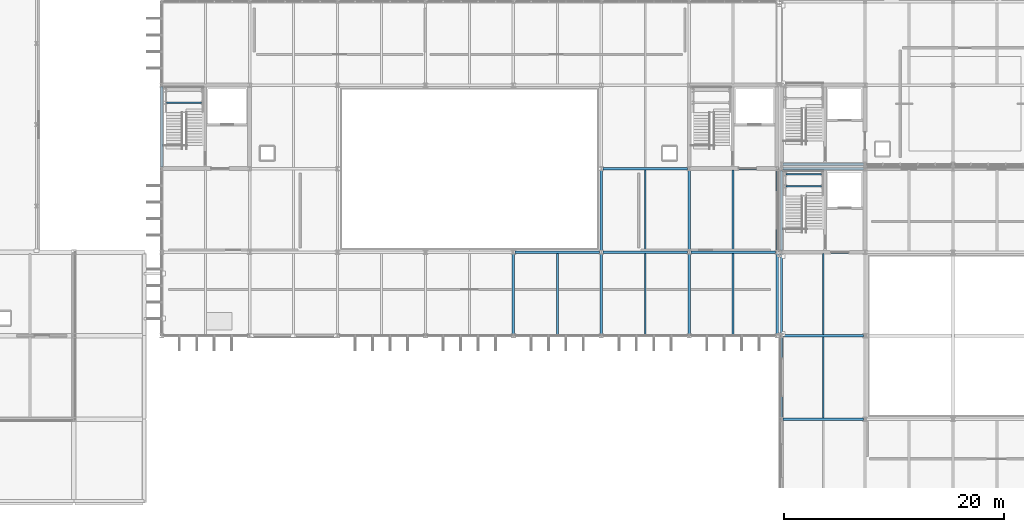
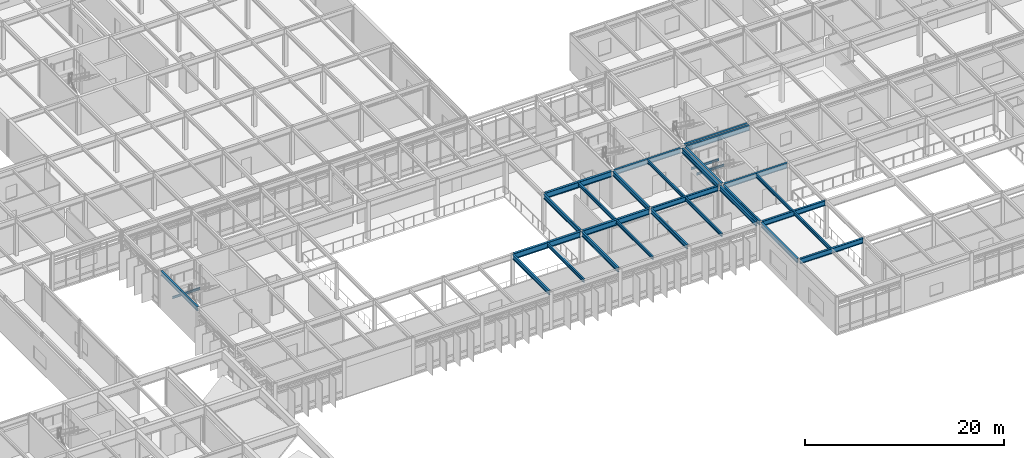
# One storey, part 44 of 104: 31 beams.
"""IFC4 building model written with IfcOpenShell, lengths in metres."""

import ifcopenshell
import ifcopenshell.guid

model = None  # the IFC model being written
_history = None  # IfcOwnerHistory: only IFC2X3 demands one
_inside = {}  # id of a spatial element -> (the spatial element, [elements in it])
_under = {}  # id of a project, library or spatial element -> (it, [spatial elements below it])
_declared = {}  # id of a project -> (the project, [libraries it declares])
_typed = {}  # id of a type object -> (the type object, [elements of that type])
_made_of = {}  # id of a material, layer set ... -> (it, [elements and type objects made of it])


def new_model(schema):
    """Start an empty IFC model of exactly this schema.

    Asked for "IFC4X3", IfcOpenShell would pick the latest addendum, in which some entities
    have other attributes; the version numbers below select the first issue.
    IFC2X3 requires an IfcOwnerHistory on every rooted entity: one is made here for all.
    """
    global model, _history
    if schema == "IFC4X3":
        model = ifcopenshell.file(schema_version=(4, 3, 0, 0))
    else:
        model = ifcopenshell.file(schema=schema)
    _inside.clear()
    _under.clear()
    _declared.clear()
    _typed.clear()
    _made_of.clear()
    _history = None
    if model.schema == "IFC2X3":
        org = make("IfcOrganization", Name="unknown")
        user = make(
            "IfcPersonAndOrganization",
            ThePerson=make("IfcPerson", FamilyName="unknown"),
            TheOrganization=org,
        )
        app = make(
            "IfcApplication",
            ApplicationDeveloper=org,
            Version="unknown",
            ApplicationFullName="unknown",
            ApplicationIdentifier="unknown",
        )
        _history = make(
            "IfcOwnerHistory",
            OwningUser=user,
            OwningApplication=app,
            ChangeAction="ADDED",
            CreationDate=0,
        )
    return model


def make(cls, **values):
    """One entity of the class cls with the attributes given. An attribute that is None is left unset."""
    return model.create_entity(
        cls, **{name: value for name, value in values.items() if value is not None}
    )


def rooted(cls, **values):
    """An entity with a GlobalId (a new one), such as an element, a storey or a relation."""
    return make(cls, GlobalId=ifcopenshell.guid.new(), OwnerHistory=_history, **values)


def si_unit(unit_type, name, prefix=None):
    """IfcSIUnit, for example si_unit("LENGTHUNIT", "METRE", prefix="MILLI")."""
    return make("IfcSIUnit", UnitType=unit_type, Prefix=prefix, Name=name)


def assignment(units):
    """IfcUnitAssignment: the units of a project."""
    return None if units is None else make("IfcUnitAssignment", Units=units)


def point(xyz):
    """IfcCartesianPoint."""
    return None if xyz is None else make("IfcCartesianPoint", Coordinates=xyz)


def direction(xyz):
    """IfcDirection."""
    return None if xyz is None else make("IfcDirection", DirectionRatios=xyz)


def frame(location, z_axis=None, x_axis=None):
    """IfcAxis2Placement3D, a coordinate frame: its origin and axes. An axis left out is left unset."""
    return make(
        "IfcAxis2Placement3D",
        Location=point(location),
        Axis=direction(z_axis),
        RefDirection=direction(x_axis),
    )


def frame_2d(location, x_axis=None):
    """IfcAxis2Placement2D, a coordinate frame in the plane: its origin and x axis."""
    return make(
        "IfcAxis2Placement2D", Location=point(location), RefDirection=direction(x_axis)
    )


def origin():
    """The frame at (0, 0, 0) with its axes left unset."""
    return frame((0.0, 0.0, 0.0))


def origin_2d():
    """The frame at (0, 0) in the plane with its x axis left unset."""
    return frame_2d((0.0, 0.0))


def place(relative_to, where):
    """IfcLocalPlacement: puts the frame where relative to a parent placement (None: the world)."""
    return make(
        "IfcLocalPlacement", PlacementRelTo=relative_to, RelativePlacement=where
    )


def context(
    kind, dimensions, precision=None, world=None, true_north=None, identifier=None
):
    """IfcGeometricRepresentationContext, for example the 3D "Model" context."""
    return make(
        "IfcGeometricRepresentationContext",
        ContextIdentifier=identifier,
        ContextType=kind,
        CoordinateSpaceDimension=dimensions,
        Precision=precision,
        WorldCoordinateSystem=world,
        TrueNorth=true_north,
    )


def subcontext(parent, identifier, kind, view, scale=None):
    """IfcGeometricRepresentationSubContext, for example "Body" below "Model"."""
    return make(
        "IfcGeometricRepresentationSubContext",
        ContextIdentifier=identifier,
        ContextType=kind,
        ParentContext=parent,
        TargetScale=scale,
        TargetView=view,
    )


def project(units=None, contexts=None):
    """IfcProject with its units and contexts."""
    return rooted(
        "IfcProject",
        Name="project",
        RepresentationContexts=contexts,
        UnitsInContext=assignment(units),
    )


def spatial(cls, under=None, at=None, **own):
    """A site, building, storey or space (cls), placed at a placement, below another one or the project."""
    s = rooted(cls, ObjectPlacement=at, **own)
    if under is not None:
        _under.setdefault(under.id(), (under, []))[1].append(s)
    return s


def profile(cls, at=None, kind="AREA", **sizes):
    """A parametric profile (cls). Its sizes go by their IFC names, for example OverallWidth=200.0."""
    return make(cls, ProfileType=kind, Position=at, **sizes)


def i_section(**sizes):
    """IfcIShapeProfileDef."""
    return profile("IfcIShapeProfileDef", **sizes)


def extrude(swept, where, along, depth):
    """IfcExtrudedAreaSolid: the profile swept, set in the frame where, extruded along a direction by depth."""
    return make(
        "IfcExtrudedAreaSolid",
        SweptArea=swept,
        Position=where,
        ExtrudedDirection=direction(along),
        Depth=depth,
    )


def shape(context_of_items, identifier, shape_type, items):
    """IfcShapeRepresentation: the items that make up one representation, for example the "Body"."""
    return make(
        "IfcShapeRepresentation",
        ContextOfItems=context_of_items,
        RepresentationIdentifier=identifier,
        RepresentationType=shape_type,
        Items=items,
    )


def material(Name=None, Category=None):
    """IfcMaterial."""
    return make("IfcMaterial", Name=Name, Category=Category)


def material_profile(
    of_material, cross_section, Name=None, Category=None, Priority=None
):
    """IfcMaterialProfile: a cross section and its material."""
    return make(
        "IfcMaterialProfile",
        Name=Name,
        Material=of_material,
        Profile=cross_section,
        Priority=Priority,
        Category=Category,
    )


def profile_set(profiles, Name=None, composite=None):
    """IfcMaterialProfileSet."""
    return make(
        "IfcMaterialProfileSet",
        Name=Name,
        MaterialProfiles=profiles,
        CompositeProfile=composite,
    )


def made_of(thing, what):
    """Note that an element or type object is made of a material, layer set ...; save() writes the relation."""
    if what is not None:
        _made_of.setdefault(what.id(), (what, []))[1].append(thing)
    return thing


def type_object(cls, material=None, **own):
    """A type object (cls), such as IfcWallType, which elements share."""
    return made_of(rooted(cls, **own), material)


def element(
    cls,
    number,
    at=None,
    inside=None,
    cuts=None,
    type_object=None,
    material=None,
    context=None,
    identifier="Body",
    shape_type=None,
    held_by="IfcProductDefinitionShape",
    body=None,
    shapes=None,
    **own,
):
    """One element of the class cls, such as IfcWall. Its Tag is "e" and its number.

    at: its placement. inside: the storey or other place that contains it. cuts: it is an
    opening in that element (IfcRelVoidsElement). A single representation is given by context,
    identifier, shape_type and body (its items); several are given by shapes. held_by: the class
    of the entity that holds the representations. save() writes the other relations.
    """
    e = rooted(cls, Tag="e%d" % number, ObjectPlacement=at, **own)
    if body is not None:
        shapes = [shape(context, identifier, shape_type, body)]
    if shapes is not None:
        e.Representation = make(held_by, Representations=shapes)
    if inside is not None:
        _inside.setdefault(inside.id(), (inside, []))[1].append(e)
    if cuts is not None:
        rooted(
            "IfcRelVoidsElement", RelatingBuildingElement=cuts, RelatedOpeningElement=e
        )
    if type_object is not None:
        _typed.setdefault(type_object.id(), (type_object, []))[1].append(e)
    return made_of(e, material)


def aggregate(whole, parts):
    """IfcRelAggregates: a whole, such as a stair, and the parts it consists of."""
    return rooted("IfcRelAggregates", RelatingObject=whole, RelatedObjects=parts)


def save(model, path):
    """Write the relations noted so far, then the file.

    IfcRelAggregates (storeys below a building ...), IfcRelContainedInSpatialStructure (elements
    in a storey), IfcRelDefinesByType, IfcRelAssociatesMaterial and IfcRelDeclares: one each for
    every whole, place, type object, material and project.
    """
    for whole, parts in _under.values():
        aggregate(whole, parts)
    for where, things in _inside.values():
        rooted(
            "IfcRelContainedInSpatialStructure",
            RelatedElements=things,
            RelatingStructure=where,
        )
    for kind, things in _typed.values():
        rooted("IfcRelDefinesByType", RelatedObjects=things, RelatingType=kind)
    for what, things in _made_of.values():
        rooted("IfcRelAssociatesMaterial", RelatedObjects=things, RelatingMaterial=what)
    for by, libraries in _declared.values():
        rooted("IfcRelDeclares", RelatingContext=by, RelatedDefinitions=libraries)
    model.write(path)


model = new_model("IFC4")

# Units and contexts
model_context = context("Model", 3, precision=1e-05, world=origin(), true_north=direction((0.0, 1.0)))
body_context = subcontext(model_context, "Body", "Model", "MODEL_VIEW")
ifc_project = project(units=[si_unit("LENGTHUNIT", "METRE"), si_unit("AREAUNIT", "SQUARE_METRE"), si_unit("VOLUMEUNIT", "CUBIC_METRE"), si_unit("PLANEANGLEUNIT", "RADIAN"), si_unit("MASSUNIT", "GRAM", prefix="KILO")], contexts=[model_context])

# Site, building, storey
site_placement = place(None, origin())
site = spatial("IfcSite", under=ifc_project, at=site_placement, CompositionType="ELEMENT")
building_placement = place(site_placement, origin())
building = spatial("IfcBuilding", under=site, at=building_placement, Name="Zulena Civic Courthouse", CompositionType="ELEMENT")
storey_placement = place(building_placement, frame((0.0, 0.0, 10.800048828125)))
storey = spatial("IfcBuildingStorey", under=building, at=storey_placement, Name="L02", CompositionType="ELEMENT", Elevation=10.800048828125)

# Beams
ifc_material = material(Name="Steel ASTM A992 Grade 50", Category="steel")
ifc_material_profile_1 = material_profile(ifc_material, i_section(OverallWidth=0.214111328125, OverallDepth=0.549072265625, WebThickness=0.0146484375, FlangeThickness=0.023681640625, FilletRadius=0.0126953125, at=origin_2d()), Name="W21X93")
ifc_profile_set_1 = profile_set([ifc_material_profile_1], Name="Steel ASTM A992 Grade 50")
beam_type_1 = type_object("IfcBeamType", Name="Girder_W21X93", PredefinedType="BEAM", material=ifc_profile_set_1)
for number, where, z_axis, x_axis, name in (
    (1, (108.0, 22.945068359375, 4.3154296875), (0.0, 1.0, 0.0), (-1.0, 0.0, 0.0), "beam:Y:V4:L02:108.0:22.8_30.4"),
    (2, (116.0, 22.945068359375, 4.3154296875), (0.0, 1.0, 0.0), (-1.0, 0.0, 0.0), "beam:Y:V4:L02:116.0:22.8_30.4"),
):
    element("IfcBeam", number, at=place(storey_placement, frame(where, z_axis=z_axis, x_axis=x_axis)), inside=storey, type_object=beam_type_1, Name=name, PredefinedType="BEAM", context=body_context, shape_type="SweptSolid", body=[
        extrude(i_section(OverallWidth=0.214111328125, OverallDepth=0.549072265625, WebThickness=0.0146484375, FlangeThickness=0.023681640625, FilletRadius=0.0126953125, at=origin_2d()), origin(), (0.0, 0.0, 1.0), 7.309814453125),
    ])
ifc_material_profile_2 = material_profile(ifc_material, i_section(OverallWidth=0.25390625, OverallDepth=0.701904296875, WebThickness=0.015380859375, FlangeThickness=0.02783203125, FilletRadius=0.0166015625, at=origin_2d()), Name="W27X129")
ifc_profile_set_2 = profile_set([ifc_material_profile_2], Name="Steel ASTM A992 Grade 50")
beam_type_2 = type_object("IfcBeamType", Name="Girder_W27X129", PredefinedType="BEAM", material=ifc_profile_set_2)
for number, where, z_axis, x_axis, name in (
    (3, (100.14501953125, 22.800048828125, 4.239013671875), (1.0, 0.0, 0.0), (0.0, 1.0, 0.0), "beam:X:V4:L02:22.8:100.0_108.0"),
    (4, (108.14501953125, 22.800048828125, 4.239013671875), (1.0, 0.0, 0.0), (0.0, 1.0, 0.0), "beam:X:V4:L02:22.8:108.0_116.0"),
    (5, (108.14501953125, 30.39990234375, 4.239013671875), (1.0, 0.0, 0.0), (0.0, 1.0, 0.0), "beam:X:V4:L02:30.4:108.0_116.0"),
):
    element("IfcBeam", number, at=place(storey_placement, frame(where, z_axis=z_axis, x_axis=x_axis)), inside=storey, type_object=beam_type_2, Name=name, PredefinedType="BEAM", context=body_context, shape_type="SweptSolid", body=[
        extrude(i_section(OverallWidth=0.25390625, OverallDepth=0.701904296875, WebThickness=0.015380859375, FlangeThickness=0.02783203125, FilletRadius=0.0166015625, at=origin_2d()), origin(), (0.0, 0.0, 1.0), 7.7099609375),
    ])
ifc_material_profile_3 = material_profile(ifc_material, i_section(OverallWidth=0.14599609375, OverallDepth=0.258056640625, WebThickness=0.006103515625, FlangeThickness=0.009033203125, FilletRadius=0.007568359375, at=origin_2d()), Name="W10X22")
ifc_profile_set_3 = profile_set([ifc_material_profile_3], Name="Steel ASTM A992 Grade 50")
beam_type_3 = type_object("IfcBeamType", Name="Joist_W10X22", PredefinedType="JOIST", material=ifc_profile_set_3)
for number, where, z_axis, x_axis, name in (
    (6, (124.820068359375, 28.800048828125, 1.990966796875), (1.0, 0.0, 0.0), (0.0, 1.0, 0.0), "beam:lnd:K1A:L02:0"),
    (7, (124.820068359375, 29.89990234375, 1.990966796875), (1.0, 0.0, 0.0), (0.0, 1.0, 0.0), "beam:lnd:K1A:L02:1"),
):
    element("IfcBeam", number, at=place(storey_placement, frame(where, z_axis=z_axis, x_axis=x_axis)), inside=storey, type_object=beam_type_3, Name=name, PredefinedType="JOIST", context=body_context, shape_type="SweptSolid", body=[
        extrude(i_section(OverallWidth=0.14599609375, OverallDepth=0.258056640625, WebThickness=0.006103515625, FlangeThickness=0.009033203125, FilletRadius=0.007568359375, at=origin_2d()), origin(), (0.0, 0.0, 1.0), 3.199951171875),
    ])
beam_1_placement = place(storey_placement, frame((68.419921875, 36.39990234375, 1.990966796875), z_axis=(1.0, 0.0, 0.0), x_axis=(0.0, 1.0, 0.0)))
element("IfcBeam", 8, at=beam_1_placement, inside=storey, type_object=beam_type_3, Name="beam:lnd:K4A:L02:0", PredefinedType="JOIST", context=body_context, shape_type="SweptSolid", body=[
    extrude(i_section(OverallWidth=0.14599609375, OverallDepth=0.258056640625, WebThickness=0.006103515625, FlangeThickness=0.009033203125, FilletRadius=0.007568359375, at=origin_2d()), origin(), (0.0, 0.0, 1.0), 3.2001953125),
])
ifc_material_profile_4 = material_profile(ifc_material, i_section(OverallWidth=0.177978515625, OverallDepth=0.406005859375, WebThickness=0.0078125, FlangeThickness=0.0126953125, FilletRadius=0.01025390625, at=origin_2d()), Name="W16X40")
ifc_profile_set_4 = profile_set([ifc_material_profile_4], Name="Steel ASTM A992 Grade 50")
beam_type_4 = type_object("IfcBeamType", Name="Joist_W16X40", PredefinedType="JOIST", material=ifc_profile_set_4)
beam_2_placement = place(storey_placement, frame((128.199951171875, 7.705078125, 4.386962890625), z_axis=(0.0, 1.0, 0.0), x_axis=(-1.0, 0.0, 0.0)))
element("IfcBeam", 9, at=beam_2_placement, inside=storey, type_object=beam_type_4, Name="joist:V1:L02:128.20:7.6_15.2", PredefinedType="JOIST", context=body_context, shape_type="SweptSolid", body=[
    extrude(i_section(OverallWidth=0.177978515625, OverallDepth=0.406005859375, WebThickness=0.0078125, FlangeThickness=0.0126953125, FilletRadius=0.01025390625, at=origin_2d()), origin(), (0.0, 0.0, 1.0), 7.389892578125),
])
for number, where, z_axis, x_axis, name in (
    (10, (128.199951171875, 15.304931640625, 4.386962890625), (0.0, 1.0, 0.0), (-1.0, 0.0, 0.0), "joist:V1:L02:128.20:15.2_22.8"),
    (11, (104.0, 15.304931640625, 4.386962890625), (0.0, 1.0, 0.0), (-1.0, 0.0, 0.0), "joist:V4:L02:104.00:15.2_22.8"),
    (12, (112.0, 15.304931640625, 4.386962890625), (0.0, 1.0, 0.0), (-1.0, 0.0, 0.0), "joist:V4:L02:112.00:15.2_22.8"),
):
    element("IfcBeam", number, at=place(storey_placement, frame(where, z_axis=z_axis, x_axis=x_axis)), inside=storey, type_object=beam_type_4, Name=name, PredefinedType="JOIST", context=body_context, shape_type="SweptSolid", body=[
        extrude(i_section(OverallWidth=0.177978515625, OverallDepth=0.406005859375, WebThickness=0.0078125, FlangeThickness=0.0126953125, FilletRadius=0.01025390625, at=origin_2d()), origin(), (0.0, 0.0, 1.0), 7.39013671875),
    ])
beam_3_placement = place(storey_placement, frame((112.0, 22.905029296875, 4.386962890625), z_axis=(0.0, 1.0, 0.0), x_axis=(-1.0, 0.0, 0.0)))
element("IfcBeam", 13, at=beam_3_placement, inside=storey, type_object=beam_type_4, Name="joist:V4:L02:112.00:22.8_30.4", PredefinedType="JOIST", context=body_context, shape_type="SweptSolid", body=[
    extrude(i_section(OverallWidth=0.177978515625, OverallDepth=0.406005859375, WebThickness=0.0078125, FlangeThickness=0.0126953125, FilletRadius=0.01025390625, at=origin_2d()), origin(), (0.0, 0.0, 1.0), 7.389892578125),
])
beam_4_placement = place(storey_placement, frame((120.0, 15.304931640625, 4.386962890625), z_axis=(0.0, 1.0, 0.0), x_axis=(-1.0, 0.0, 0.0)))
element("IfcBeam", 14, at=beam_4_placement, inside=storey, type_object=beam_type_4, Name="joist:V4:L02:120.00:15.2_22.8", PredefinedType="JOIST", context=body_context, shape_type="SweptSolid", body=[
    extrude(i_section(OverallWidth=0.177978515625, OverallDepth=0.406005859375, WebThickness=0.0078125, FlangeThickness=0.0126953125, FilletRadius=0.01025390625, at=origin_2d()), origin(), (0.0, 0.0, 1.0), 7.39013671875),
])
beam_5_placement = place(storey_placement, frame((120.0, 22.905029296875, 4.386962890625), z_axis=(0.0, 1.0, 0.0), x_axis=(-1.0, 0.0, 0.0)))
element("IfcBeam", 15, at=beam_5_placement, inside=storey, type_object=beam_type_4, Name="joist:V4:L02:120.00:22.8_30.4", PredefinedType="JOIST", context=body_context, shape_type="SweptSolid", body=[
    extrude(i_section(OverallWidth=0.177978515625, OverallDepth=0.406005859375, WebThickness=0.0078125, FlangeThickness=0.0126953125, FilletRadius=0.01025390625, at=origin_2d()), origin(), (0.0, 0.0, 1.0), 7.389892578125),
])
ifc_material_profile_5 = material_profile(ifc_material, i_section(OverallWidth=0.2099609375, OverallDepth=0.537109375, WebThickness=0.010986328125, FlangeThickness=0.017333984375, FilletRadius=0.0126953125, at=origin_2d()), Name="W21X68")
ifc_profile_set_5 = profile_set([ifc_material_profile_5], Name="Steel ASTM A992 Grade 50")
beam_type_5 = type_object("IfcBeamType", Name="Spandrel_W21X68", PredefinedType="SPANDREL", material=ifc_profile_set_5)
beam_6_placement = place(storey_placement, frame((124.39990234375, 7.7451171875, 4.321533203125), z_axis=(0.0, 1.0, 0.0), x_axis=(-1.0, 0.0, 0.0)))
element("IfcBeam", 16, at=beam_6_placement, inside=storey, type_object=beam_type_5, Name="beam:Y:V1:L02:124.4:7.6_15.2", PredefinedType="SPANDREL", context=body_context, shape_type="SweptSolid", body=[
    extrude(i_section(OverallWidth=0.2099609375, OverallDepth=0.537109375, WebThickness=0.010986328125, FlangeThickness=0.017333984375, FilletRadius=0.0126953125, at=origin_2d()), origin(), (0.0, 0.0, 1.0), 7.309814453125),
])
beam_7_placement = place(storey_placement, frame((124.39990234375, 15.344970703125, 4.321533203125), z_axis=(0.0, 1.0, 0.0), x_axis=(-1.0, 0.0, 0.0)))
element("IfcBeam", 17, at=beam_7_placement, inside=storey, type_object=beam_type_5, Name="beam:Y:V1:L02:124.4:15.2_22.8", PredefinedType="SPANDREL", context=body_context, shape_type="SweptSolid", body=[
    extrude(i_section(OverallWidth=0.2099609375, OverallDepth=0.537109375, WebThickness=0.010986328125, FlangeThickness=0.017333984375, FilletRadius=0.0126953125, at=origin_2d()), origin(), (0.0, 0.0, 1.0), 7.31005859375),
])
beam_8_placement = place(storey_placement, frame((124.39990234375, 22.945068359375, 4.321533203125), z_axis=(0.0, 1.0, 0.0), x_axis=(-1.0, 0.0, 0.0)))
element("IfcBeam", 18, at=beam_8_placement, inside=storey, type_object=beam_type_5, Name="beam:Y:V1:L02:124.4:22.8_30.4", PredefinedType="SPANDREL", context=body_context, shape_type="SweptSolid", body=[
    extrude(i_section(OverallWidth=0.2099609375, OverallDepth=0.537109375, WebThickness=0.010986328125, FlangeThickness=0.017333984375, FilletRadius=0.0126953125, at=origin_2d()), origin(), (0.0, 0.0, 1.0), 7.309814453125),
])
for number, where, z_axis, x_axis, name in (
    (19, (68.0, 30.544921875, 4.321533203125), (0.0, 1.0, 0.0), (-1.0, 0.0, 0.0), "beam:Y:V4:L02:68.0:30.4_38.0"),
    (20, (100.0, 15.344970703125, 4.321533203125), (0.0, 1.0, 0.0), (-1.0, 0.0, 0.0), "beam:Y:V4:L02:100.0:15.2_22.8"),
    (21, (108.0, 15.344970703125, 4.321533203125), (0.0, 1.0, 0.0), (-1.0, 0.0, 0.0), "beam:Y:V4:L02:108.0:15.2_22.8"),
    (22, (116.0, 15.344970703125, 4.321533203125), (0.0, 1.0, 0.0), (-1.0, 0.0, 0.0), "beam:Y:V4:L02:116.0:15.2_22.8"),
    (23, (124.0, 15.344970703125, 4.321533203125), (0.0, 1.0, 0.0), (-1.0, 0.0, 0.0), "beam:Y:V4:L02:124.0:15.2_22.8"),
):
    element("IfcBeam", number, at=place(storey_placement, frame(where, z_axis=z_axis, x_axis=x_axis)), inside=storey, type_object=beam_type_5, Name=name, PredefinedType="SPANDREL", context=body_context, shape_type="SweptSolid", body=[
        extrude(i_section(OverallWidth=0.2099609375, OverallDepth=0.537109375, WebThickness=0.010986328125, FlangeThickness=0.017333984375, FilletRadius=0.0126953125, at=origin_2d()), origin(), (0.0, 0.0, 1.0), 7.31005859375),
    ])
beam_9_placement = place(storey_placement, frame((124.0, 22.945068359375, 4.321533203125), z_axis=(0.0, 1.0, 0.0), x_axis=(-1.0, 0.0, 0.0)))
element("IfcBeam", 24, at=beam_9_placement, inside=storey, type_object=beam_type_5, Name="beam:Y:V4:L02:124.0:22.8_30.4", PredefinedType="SPANDREL", context=body_context, shape_type="SweptSolid", body=[
    extrude(i_section(OverallWidth=0.2099609375, OverallDepth=0.537109375, WebThickness=0.010986328125, FlangeThickness=0.017333984375, FilletRadius=0.0126953125, at=origin_2d()), origin(), (0.0, 0.0, 1.0), 7.309814453125),
])
ifc_material_profile_6 = material_profile(ifc_material, i_section(OverallWidth=0.22998046875, OverallDepth=0.616943359375, WebThickness=0.01318359375, FlangeThickness=0.022216796875, FilletRadius=0.0126953125, at=origin_2d()), Name="W24X94")
ifc_profile_set_6 = profile_set([ifc_material_profile_6], Name="Steel ASTM A992 Grade 50")
beam_type_6 = type_object("IfcBeamType", Name="Spandrel_W24X94", PredefinedType="SPANDREL", material=ifc_profile_set_6)
for number, where, z_axis, x_axis, name in (
    (25, (124.544921875, 7.60009765625, 4.281494140625), (1.0, 0.0, 0.0), (0.0, 1.0, 0.0), "beam:X:V1:L02:7.6:124.4_132.0"),
    (26, (124.544921875, 15.199951171875, 4.281494140625), (1.0, 0.0, 0.0), (0.0, 1.0, 0.0), "beam:X:V1:L02:15.2:124.4_132.0"),
    (27, (124.544921875, 22.800048828125, 4.281494140625), (1.0, 0.0, 0.0), (0.0, 1.0, 0.0), "beam:X:V1:L02:22.8:124.4_132.0"),
    (28, (124.544921875, 30.39990234375, 4.281494140625), (1.0, 0.0, 0.0), (0.0, 1.0, 0.0), "beam:X:V1:L02:30.4:124.4_132.0"),
    (29, (124.544921875, 30.800048828125, 4.281494140625), (1.0, 0.0, 0.0), (0.0, 1.0, 0.0), "beam:X:V3:L02:30.8:124.4_132.0"),
):
    element("IfcBeam", number, at=place(storey_placement, frame(where, z_axis=z_axis, x_axis=x_axis)), inside=storey, type_object=beam_type_6, Name=name, PredefinedType="SPANDREL", context=body_context, shape_type="SweptSolid", body=[
        extrude(i_section(OverallWidth=0.22998046875, OverallDepth=0.616943359375, WebThickness=0.01318359375, FlangeThickness=0.022216796875, FilletRadius=0.0126953125, at=origin_2d()), origin(), (0.0, 0.0, 1.0), 7.31005859375),
    ])
for number, where, z_axis, x_axis, name in (
    (30, (116.14501953125, 22.800048828125, 4.281494140625), (1.0, 0.0, 0.0), (0.0, 1.0, 0.0), "beam:X:V4:L02:22.8:116.0_124.0"),
    (31, (116.14501953125, 30.39990234375, 4.281494140625), (1.0, 0.0, 0.0), (0.0, 1.0, 0.0), "beam:X:V4:L02:30.4:116.0_124.0"),
):
    element("IfcBeam", number, at=place(storey_placement, frame(where, z_axis=z_axis, x_axis=x_axis)), inside=storey, type_object=beam_type_6, Name=name, PredefinedType="SPANDREL", context=body_context, shape_type="SweptSolid", body=[
        extrude(i_section(OverallWidth=0.22998046875, OverallDepth=0.616943359375, WebThickness=0.01318359375, FlangeThickness=0.022216796875, FilletRadius=0.0126953125, at=origin_2d()), origin(), (0.0, 0.0, 1.0), 7.7099609375),
    ])

save(model, "model.ifc")
